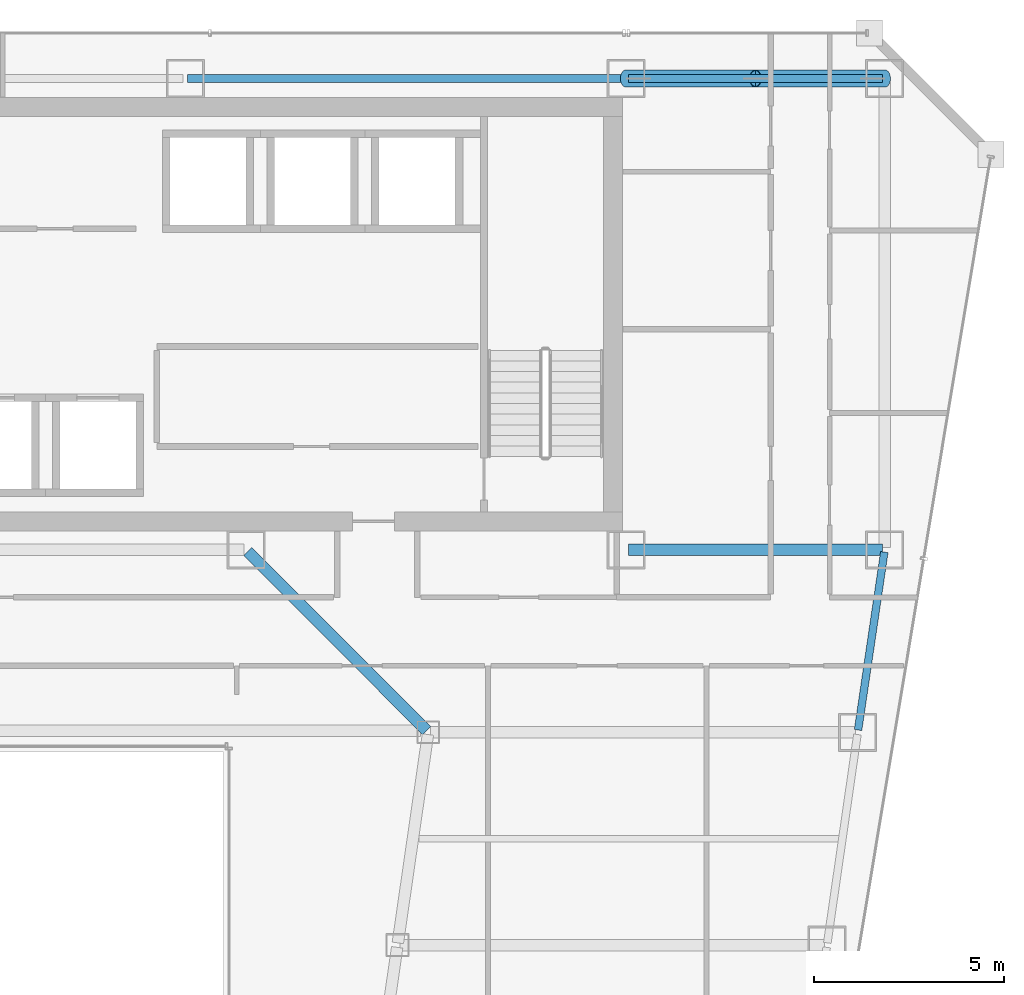
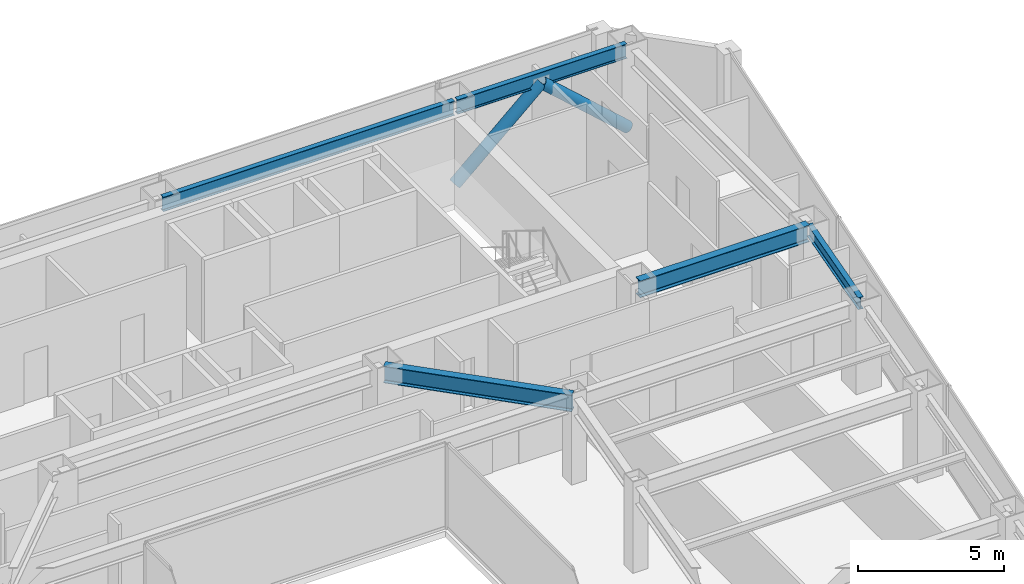
# One storey, part 25 of 36: 5 beams, 2 members.
"""IFC4 building model written with IfcOpenShell, lengths in metres."""

from ifc_helpers import new_model, si_unit, direction, frame, origin, origin_2d, place, context, subcontext, project, spatial, hollow_circle, i_section, extrude, material, material_profile, profile_set, type_object, element, save


model = new_model("IFC4")

# Units and contexts
model_context = context("Model", 3, precision=1e-05, world=origin(), true_north=direction((0.0, 1.0)))
body_context = subcontext(model_context, "Body", "Model", "MODEL_VIEW")
ifc_project = project(units=[si_unit("LENGTHUNIT", "METRE"), si_unit("AREAUNIT", "SQUARE_METRE"), si_unit("VOLUMEUNIT", "CUBIC_METRE"), si_unit("PLANEANGLEUNIT", "RADIAN"), si_unit("MASSUNIT", "GRAM", prefix="KILO")], contexts=[model_context])

# Site, building, storey
site_placement = place(None, origin())
site = spatial("IfcSite", under=ifc_project, at=site_placement, CompositionType="ELEMENT")
building_placement = place(site_placement, origin())
building = spatial("IfcBuilding", under=site, at=building_placement, Name="Saevonmaru Cultural Tower", CompositionType="ELEMENT")
storey_placement = place(building_placement, frame((0.0, 0.0, 152.39990234375)))
storey = spatial("IfcBuildingStorey", under=building, at=storey_placement, Name="L33", CompositionType="ELEMENT", Elevation=152.39990234375)

# Beams
ifc_material_1 = material(Name="Steel SM355", Category="steel")
ifc_material_profile_1 = material_profile(ifc_material_1, i_section(OverallWidth=0.300048828125, OverallDepth=0.699951171875, WebThickness=0.012939453125, FlangeThickness=0.02392578125, FilletRadius=0.02587890625, at=origin_2d()), Name="H-700x300x13x24")
ifc_profile_set_1 = profile_set([ifc_material_profile_1], Name="Steel SM355")
beam_type_1 = type_object("IfcBeamType", Name="BM-G-H700", PredefinedType="BEAM", material=ifc_profile_set_1)
beam_1_placement = place(storey_placement, frame((46.4599609375, 42.39990234375, 3.2001953125), z_axis=(1.0, 0.0, 0.0), x_axis=(0.0, 1.0, 0.0)))
element("IfcBeam", 1, at=beam_1_placement, inside=storey, type_object=beam_type_1, Name="L33 Core South Girder 5", PredefinedType="BEAM", context=body_context, shape_type="SweptSolid", body=[
    extrude(i_section(OverallWidth=0.300048828125, OverallDepth=0.699951171875, WebThickness=0.012939453125, FlangeThickness=0.02392578125, FilletRadius=0.02587890625, at=origin_2d()), origin(), (0.0, 0.0, 1.0), 6.679931640625),
])
beam_2_placement = place(storey_placement, frame((41.149658203125, 37.642578125, 3.2001953125), z_axis=(-0.706538566564, 0.707674539572, 0.0), x_axis=(-0.707674539572, -0.706538566564, 0.0)))
element("IfcBeam", 2, at=beam_2_placement, inside=storey, type_object=beam_type_1, Name="L33 East Atrium Girder 5", PredefinedType="BEAM", context=body_context, shape_type="SweptSolid", body=[
    extrude(i_section(OverallWidth=0.300048828125, OverallDepth=0.699951171875, WebThickness=0.012939453125, FlangeThickness=0.02392578125, FilletRadius=0.02587890625, at=origin_2d()), origin(), (0.0, 0.0, 1.0), 6.662353515625),
])
ifc_material_profile_2 = material_profile(ifc_material_1, i_section(OverallWidth=0.199951171875, OverallDepth=0.5, WebThickness=0.010009765625, FlangeThickness=0.01611328125, FilletRadius=0.02001953125, at=origin_2d()), Name="H-500x200x10x16")
ifc_profile_set_2 = profile_set([ifc_material_profile_2], Name="Steel SM355")
beam_type_2 = type_object("IfcBeamType", Name="BM-SP-H500", PredefinedType="SPANDREL", material=ifc_profile_set_2)
beam_3_placement = place(storey_placement, frame((52.500732421875, 37.659423828125, 3.300048828125), z_axis=(0.145912860028, 0.989297446312, 0.0), x_axis=(-0.989297446312, 0.145912860028, 0.0)))
element("IfcBeam", 3, at=beam_3_placement, inside=storey, type_object=beam_type_2, Name="L33 East Splayed Spandrel 5", PredefinedType="SPANDREL", context=body_context, shape_type="SweptSolid", body=[
    extrude(i_section(OverallWidth=0.199951171875, OverallDepth=0.5, WebThickness=0.010009765625, FlangeThickness=0.01611328125, FilletRadius=0.02001953125, at=origin_2d()), origin(), (0.0, 0.0, 1.0), 4.731689453125),
])
ifc_material_profile_3 = material_profile(ifc_material_1, i_section(OverallWidth=0.199951171875, OverallDepth=0.60009765625, WebThickness=0.010986328125, FlangeThickness=0.01708984375, FilletRadius=0.02197265625, at=origin_2d()), Name="H-600x200x11x17")
ifc_profile_set_3 = profile_set([ifc_material_profile_3], Name="Steel SM355")
beam_type_3 = type_object("IfcBeamType", Name="BM-SP-H600", PredefinedType="SPANDREL", material=ifc_profile_set_3)
beam_4_placement = place(storey_placement, frame((34.860107421875, 54.800048828125, 3.25), z_axis=(1.0, 0.0, 0.0), x_axis=(0.0, 1.0, 0.0)))
element("IfcBeam", 4, at=beam_4_placement, inside=storey, type_object=beam_type_3, Name="L33 North Spine Girder 4", PredefinedType="SPANDREL", context=body_context, shape_type="SweptSolid", body=[
    extrude(i_section(OverallWidth=0.199951171875, OverallDepth=0.60009765625, WebThickness=0.010986328125, FlangeThickness=0.01708984375, FilletRadius=0.02197265625, at=origin_2d()), origin(), (0.0, 0.0, 1.0), 11.47998046875),
])
beam_5_placement = place(storey_placement, frame((46.4599609375, 54.800048828125, 3.25), z_axis=(1.0, 0.0, 0.0), x_axis=(0.0, 1.0, 0.0)))
element("IfcBeam", 5, at=beam_5_placement, inside=storey, type_object=beam_type_3, Name="L33 North Spine Girder 5", PredefinedType="SPANDREL", context=body_context, shape_type="SweptSolid", body=[
    extrude(i_section(OverallWidth=0.199951171875, OverallDepth=0.60009765625, WebThickness=0.010986328125, FlangeThickness=0.01708984375, FilletRadius=0.02197265625, at=origin_2d()), origin(), (0.0, 0.0, 1.0), 6.679931640625),
])

# Members
ifc_material_2 = material(Name="Steel SM420", Category="steel")
ifc_material_profile_4 = material_profile(ifc_material_2, hollow_circle(Radius=0.228515625, WallThickness=0.02001953125, at=origin_2d()), Name="CHS-457.2x20")
ifc_profile_set_4 = profile_set([ifc_material_profile_4], Name="Steel SM420")
member_type = type_object("IfcMemberType", Name="MB-PBR-CHS457", PredefinedType="BRACE", material=ifc_profile_set_4)
for number, where, z_axis, x_axis, name in (
    (6, (46.39990234375, 54.800048828125, 0.02001953125), (0.744390779303, 0.0, 0.66774423823), (0.0, 1.0, 0.0), "L33 Perimeter Braced-Tube Diagonal EN1"),
    (7, (53.199951171875, 54.800048828125, 0.02001953125), (-0.744366945704, 0.0, 0.667770806597), (0.0, -1.0, 0.0), "L33 Perimeter Braced-Tube Diagonal EN2"),
):
    element("IfcMember", number, at=place(storey_placement, frame(where, z_axis=z_axis, x_axis=x_axis)), inside=storey, type_object=member_type, Name=name, PredefinedType="BRACE", context=body_context, shape_type="SweptSolid", body=[
        extrude(hollow_circle(Radius=0.228515625, WallThickness=0.02001953125, at=origin_2d()), origin(), (0.0, 0.0, 1.0), 4.567626953125),
    ])

save(model, "model.ifc")
